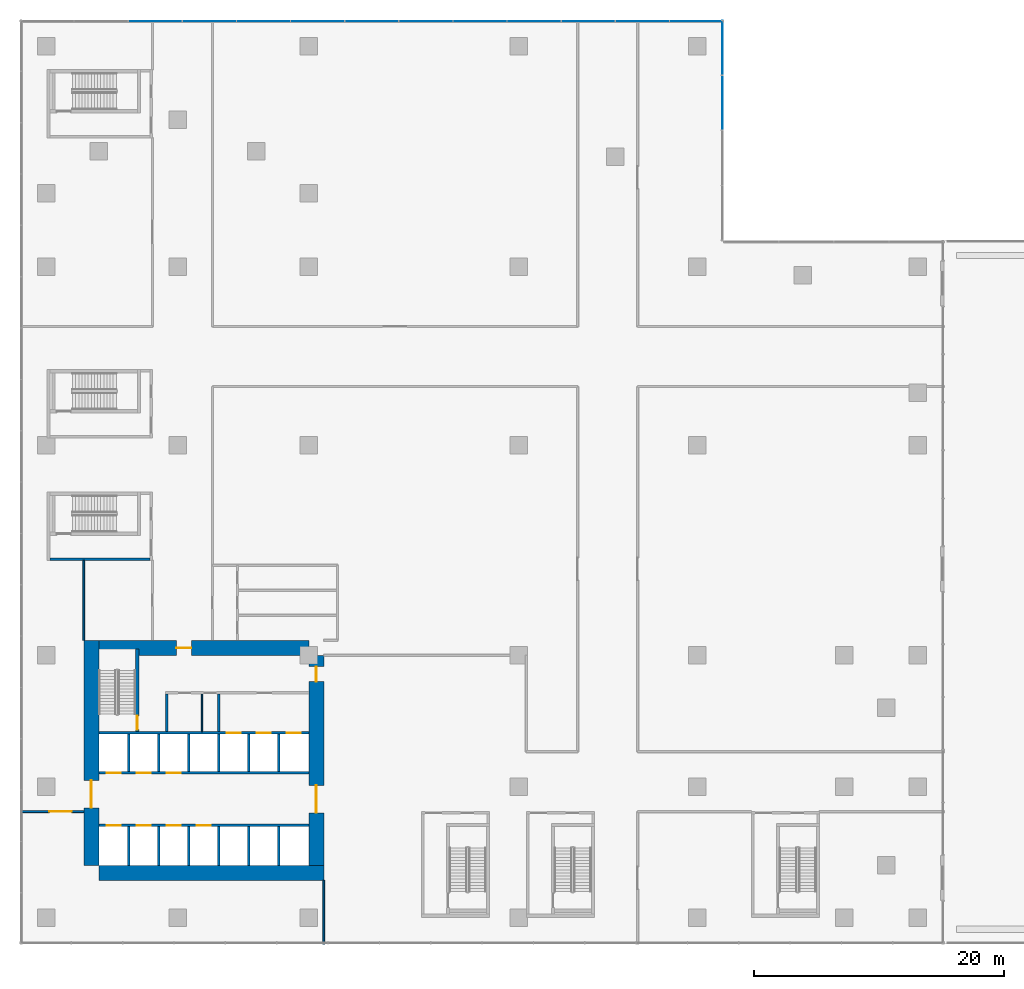
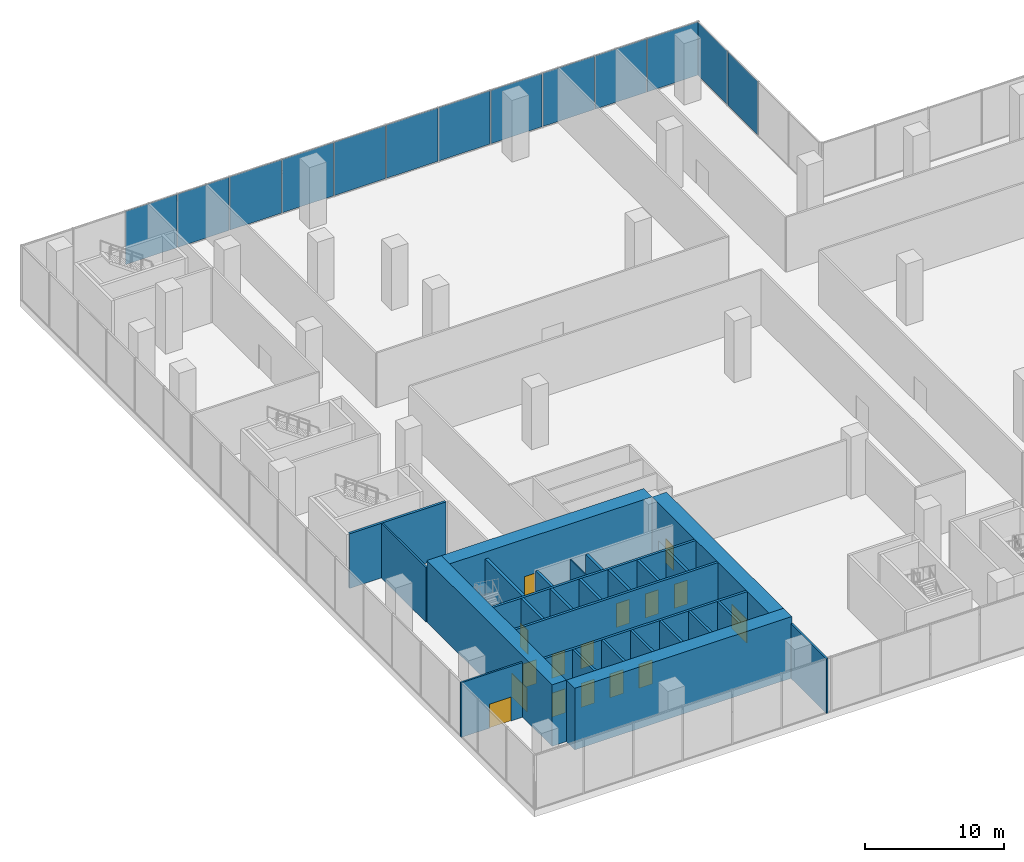
# One storey, part 13 of 23: 27 walls, 16 doors, 13 plates, 16 openings, 2 elements without a shape of their own.
"""IFC4 building model written with IfcOpenShell, lengths in metres."""

from ifc_helpers import new_model, si_unit, direction, frame, frame_2d, origin, origin_2d, place, context, subcontext, project, spatial, rectangle, extrude, source, transform, mapped, material, layer, layer_set, type_object, element, fill, aggregate, save


model = new_model("IFC4")

# Units and contexts
model_context = context("Model", 3, precision=1e-05, world=origin(), true_north=direction((0.0, 1.0)))
body_context = subcontext(model_context, "Body", "Model", "MODEL_VIEW")
ifc_project = project(units=[si_unit("LENGTHUNIT", "METRE"), si_unit("AREAUNIT", "SQUARE_METRE"), si_unit("VOLUMEUNIT", "CUBIC_METRE"), si_unit("PLANEANGLEUNIT", "RADIAN"), si_unit("MASSUNIT", "GRAM", prefix="KILO")], contexts=[model_context])

# Site, building, storey
site_placement = place(None, origin())
site = spatial("IfcSite", under=ifc_project, at=site_placement, CompositionType="ELEMENT")
building_placement = place(site_placement, origin())
building = spatial("IfcBuilding", under=site, at=building_placement, Name="Aurelian Terraces", CompositionType="ELEMENT")
storey_placement = place(building_placement, frame((0.0, 0.0, 18.3)))
storey = spatial("IfcBuildingStorey", under=building, at=storey_placement, Name="L03", CompositionType="ELEMENT", Elevation=18.3)

# Curtain wall, plates
ifc_material_1 = material(Name="Anodised aluminium and clear glazing", Category="aluminium")
ifc_layer_1 = layer(ifc_material_1, 0.2)
ifc_layer_set_1 = layer_set([ifc_layer_1], Name="Winter garden glazing curtain wall")
curtain_wall_type = type_object("IfcCurtainWallType", Name="Winter garden glazing curtain wall", PredefinedType="NOTDEFINED", material=ifc_layer_set_1)
curtain_wall_1_placement = place(storey_placement, origin())
curtain_wall_1 = element("IfcCurtainWall", 1, at=curtain_wall_1_placement, inside=storey, type_object=curtain_wall_type, Name="Winter garden glazing L03 F05.1", PredefinedType="NOTDEFINED")
ifc_material_2 = material(Name="Clear glazing", Category="glass")
ifc_layer_2 = layer(ifc_material_2, 0.028)
ifc_layer_set_2 = layer_set([ifc_layer_2], Name="Winter garden glazing glazing panel")
plate_type = type_object("IfcPlateType", Name="Winter garden glazing glazing panel", PredefinedType="CURTAIN_PANEL", material=ifc_layer_set_2)
shared_shape_1 = source(origin(), body_context, "Body", "SweptSolid", [
    extrude(rectangle(XDim=4.2692, YDim=0.028, at=origin_2d()), origin(), (0.0, 0.0, 1.0), 4.68),
])
plate_1_placement = place(storey_placement, frame((47.6862, 71.72, 0.06), z_axis=(0.0, 0.0, 1.0), x_axis=(-1.0, 0.0, 0.0)))
plate_1 = element("IfcPlate", 2, at=plate_1_placement, type_object=plate_type, Name="CW6 panel 2.1", PredefinedType="CURTAIN_PANEL", context=body_context, shape_type="MappedRepresentation", body=[
    mapped(shared_shape_1, transform((0.0, 0.0, 0.0), scale=1.0)),
])
plate_2_placement = place(storey_placement, frame((43.3569, 71.72, 0.06), z_axis=(0.0, 0.0, 1.0), x_axis=(-1.0, 0.0, 0.0)))
plate_2 = element("IfcPlate", 3, at=plate_2_placement, type_object=plate_type, Name="CW6 panel 3.1", PredefinedType="CURTAIN_PANEL", context=body_context, shape_type="MappedRepresentation", body=[
    mapped(shared_shape_1, transform((0.0, 0.0, 0.0), scale=1.0)),
])
plate_3_placement = place(storey_placement, frame((39.0277, 71.72, 0.06), z_axis=(0.0, 0.0, 1.0), x_axis=(-1.0, 0.0, 0.0)))
plate_3 = element("IfcPlate", 4, at=plate_3_placement, type_object=plate_type, Name="CW6 panel 4.1", PredefinedType="CURTAIN_PANEL", context=body_context, shape_type="MappedRepresentation", body=[
    mapped(shared_shape_1, transform((0.0, 0.0, 0.0), scale=1.0)),
])
plate_4_placement = place(storey_placement, frame((34.6985, 71.72, 0.06), z_axis=(0.0, 0.0, 1.0), x_axis=(-1.0, 0.0, 0.0)))
plate_4 = element("IfcPlate", 5, at=plate_4_placement, type_object=plate_type, Name="CW6 panel 5.1", PredefinedType="CURTAIN_PANEL", context=body_context, shape_type="MappedRepresentation", body=[
    mapped(shared_shape_1, transform((0.0, 0.0, 0.0), scale=1.0)),
])
plate_5_placement = place(storey_placement, frame((30.3692, 71.72, 0.06), z_axis=(0.0, 0.0, 1.0), x_axis=(-1.0, 0.0, 0.0)))
plate_5 = element("IfcPlate", 6, at=plate_5_placement, type_object=plate_type, Name="CW6 panel 6.1", PredefinedType="CURTAIN_PANEL", context=body_context, shape_type="MappedRepresentation", body=[
    mapped(shared_shape_1, transform((0.0, 0.0, 0.0), scale=1.0)),
])
plate_6_placement = place(storey_placement, frame((26.04, 71.72, 0.06), z_axis=(0.0, 0.0, 1.0), x_axis=(-1.0, 0.0, 0.0)))
plate_6 = element("IfcPlate", 7, at=plate_6_placement, type_object=plate_type, Name="CW6 panel 7.1", PredefinedType="CURTAIN_PANEL", context=body_context, shape_type="MappedRepresentation", body=[
    mapped(shared_shape_1, transform((0.0, 0.0, 0.0), scale=1.0)),
])
plate_7_placement = place(storey_placement, frame((21.7108, 71.72, 0.06), z_axis=(0.0, 0.0, 1.0), x_axis=(-1.0, 0.0, 0.0)))
plate_7 = element("IfcPlate", 8, at=plate_7_placement, type_object=plate_type, Name="CW6 panel 8.1", PredefinedType="CURTAIN_PANEL", context=body_context, shape_type="MappedRepresentation", body=[
    mapped(shared_shape_1, transform((0.0, 0.0, 0.0), scale=1.0)),
])
plate_8_placement = place(storey_placement, frame((17.3815, 71.72, 0.06), z_axis=(0.0, 0.0, 1.0), x_axis=(-1.0, 0.0, 0.0)))
plate_8 = element("IfcPlate", 9, at=plate_8_placement, type_object=plate_type, Name="CW6 panel 9.1", PredefinedType="CURTAIN_PANEL", context=body_context, shape_type="MappedRepresentation", body=[
    mapped(shared_shape_1, transform((0.0, 0.0, 0.0), scale=1.0)),
])
plate_9_placement = place(storey_placement, frame((13.0523, 71.72, 0.06), z_axis=(0.0, 0.0, 1.0), x_axis=(-1.0, 0.0, 0.0)))
plate_9 = element("IfcPlate", 10, at=plate_9_placement, type_object=plate_type, Name="CW6 panel 10.1", PredefinedType="CURTAIN_PANEL", context=body_context, shape_type="MappedRepresentation", body=[
    mapped(shared_shape_1, transform((0.0, 0.0, 0.0), scale=1.0)),
])
plate_10_placement = place(storey_placement, frame((8.7231, 71.72, 0.06), z_axis=(0.0, 0.0, 1.0), x_axis=(-1.0, 0.0, 0.0)))
plate_10 = element("IfcPlate", 11, at=plate_10_placement, type_object=plate_type, Name="CW6 panel 11.1", PredefinedType="CURTAIN_PANEL", context=body_context, shape_type="MappedRepresentation", body=[
    mapped(shared_shape_1, transform((0.0, 0.0, 0.0), scale=1.0)),
])
shared_shape_2 = source(origin(), body_context, "Body", "SweptSolid", [
    extrude(rectangle(XDim=4.2392, YDim=0.028, at=origin_2d()), origin(), (0.0, 0.0, 1.0), 4.68),
])
plate_11_placement = place(storey_placement, frame((52.0004, 71.72, 0.06), z_axis=(0.0, 0.0, 1.0), x_axis=(-1.0, 0.0, 0.0)))
plate_11 = element("IfcPlate", 12, at=plate_11_placement, type_object=plate_type, Name="CW6 panel 1.1", PredefinedType="CURTAIN_PANEL", context=body_context, shape_type="MappedRepresentation", body=[
    mapped(shared_shape_2, transform((0.0, 0.0, 0.0), scale=1.0)),
])
aggregate(curtain_wall_1, [plate_11, plate_1, plate_2, plate_3, plate_4, plate_5, plate_6, plate_7, plate_8, plate_9, plate_10])

curtain_wall_2_placement = place(storey_placement, origin())
curtain_wall_2 = element("IfcCurtainWall", 13, at=curtain_wall_2_placement, inside=storey, type_object=curtain_wall_type, Name="Winter garden glazing L03 F04.1", PredefinedType="NOTDEFINED")
shared_shape_3 = source(origin(), body_context, "Body", "SweptSolid", [
    extrude(rectangle(XDim=4.35, YDim=0.028, at=origin_2d()), origin(), (0.0, 0.0, 1.0), 4.68),
])
plate_12_placement = place(storey_placement, frame((54.08, 65.205, 0.06), z_axis=(0.0, 0.0, 1.0), x_axis=(0.0, 1.0, 0.0)))
plate_12 = element("IfcPlate", 14, at=plate_12_placement, type_object=plate_type, Name="CW6 panel 3.1", PredefinedType="CURTAIN_PANEL", context=body_context, shape_type="MappedRepresentation", body=[
    mapped(shared_shape_3, transform((0.0, 0.0, 0.0), scale=1.0)),
])
shared_shape_4 = source(origin(), body_context, "Body", "SweptSolid", [
    extrude(rectangle(XDim=4.32, YDim=0.028, at=origin_2d()), origin(), (0.0, 0.0, 1.0), 4.68),
])
plate_13_placement = place(storey_placement, frame((54.08, 69.6, 0.06), z_axis=(0.0, 0.0, 1.0), x_axis=(0.0, 1.0, 0.0)))
plate_13 = element("IfcPlate", 15, at=plate_13_placement, type_object=plate_type, Name="CW6 panel 4.1", PredefinedType="CURTAIN_PANEL", context=body_context, shape_type="MappedRepresentation", body=[
    mapped(shared_shape_4, transform((0.0, 0.0, 0.0), scale=1.0)),
])
aggregate(curtain_wall_2, [plate_12, plate_13])

# Wall, opening, door
ifc_material_3 = material(Name="Concrete fc' 83 MPa", Category="concrete")
ifc_layer_3 = layer(ifc_material_3, 1.2)
ifc_layer_set_3 = layer_set([ifc_layer_3], Name="CORE WALL 1200 FC83")
wall_type_1 = type_object("IfcWallType", Name="CORE WALL 1200 FC83", PredefinedType="SHEAR", material=ifc_layer_set_3)
shared_shape_5 = source(origin(), body_context, "Body", "SweptSolid", [
    extrude(rectangle(XDim=18.0, YDim=1.2, at=frame_2d((9.0, 0.0))), origin(), (0.0, 0.0, 1.0), 5.4),
])
wall_1_placement = place(storey_placement, frame((3.6, 4.2, 0.0), z_axis=(0.0, 0.0, 1.0), x_axis=(0.0, 1.0, 0.0)))
wall_1 = element("IfcWall", 16, at=wall_1_placement, inside=storey, type_object=wall_type_1, Name="Core wall W L03", PredefinedType="SHEAR", context=body_context, shape_type="MappedRepresentation", body=[
    mapped(shared_shape_5, transform((0.0, 0.0, 0.0), scale=1.0)),
])
shared_shape_6 = source(origin(), body_context, "Body", "SweptSolid", [
    extrude(rectangle(XDim=2.2, YDim=2.1, at=frame_2d((1.1, 1.05))), frame((0.0, 0.61, 0.0), z_axis=(0.0, -1.0, 0.0), x_axis=(1.0, 0.0, 0.0)), (0.0, 0.0, 1.0), 1.22),
])
opening_1_placement = place(wall_1_placement, frame((4.6, 0.0, 0.0)))
opening_1 = element("IfcOpeningElement", 17, at=opening_1_placement, cuts=wall_1, Name="Opening 60633", PredefinedType="OPENING", context=body_context, shape_type="MappedRepresentation", body=[
    mapped(shared_shape_6, transform((0.0, 0.0, 0.0), scale=1.0)),
])
ifc_material_4 = material(Name="Steel door leaf", Category="steel")
door_type_1 = type_object("IfcDoorType", Name="Core double door 2200x2100", OperationType="DOUBLE_DOOR_SINGLE_SWING", PredefinedType="DOOR", material=ifc_material_4)
shared_shape_7 = source(origin(), body_context, "Body", "SweptSolid", [
    extrude(rectangle(XDim=2.2, YDim=2.1, at=frame_2d((1.1, 1.05))), frame((0.0, 0.025, 0.0), z_axis=(0.0, -1.0, 0.0), x_axis=(1.0, 0.0, 0.0)), (0.0, 0.0, 1.0), 0.05),
])
door_1_placement = place(opening_1_placement, origin())
door_1 = element("IfcDoor", 18, at=door_1_placement, inside=storey, type_object=door_type_1, Name="Core door 60633", OperationType="DOUBLE_DOOR_SINGLE_SWING", OverallHeight=2.1, OverallWidth=2.2, PredefinedType="DOOR", context=body_context, shape_type="MappedRepresentation", body=[
    mapped(shared_shape_7, transform((0.0, 0.0, 0.0), scale=1.0)),
])
fill(opening_1, door_1)

# Wall
wall_2_placement = place(storey_placement, frame((4.2, 3.6, 0.0), z_axis=(0.0, 0.0, 1.0), x_axis=(1.0, 0.0, 0.0)))
element("IfcWall", 19, at=wall_2_placement, inside=storey, type_object=wall_type_1, Name="Core wall S L03", PredefinedType="SHEAR", context=body_context, shape_type="MappedRepresentation", body=[
    mapped(shared_shape_5, transform((0.0, 0.0, 0.0), scale=1.0)),
])

# Wall, openings, doors
shared_shape_8 = source(origin(), body_context, "Body", "SweptSolid", [
    extrude(rectangle(XDim=16.8, YDim=1.2, at=frame_2d((8.4, 0.0))), origin(), (0.0, 0.0, 1.0), 5.4),
])
wall_3_placement = place(storey_placement, frame((21.6, 4.2, 0.0), z_axis=(0.0, 0.0, 1.0), x_axis=(0.0, 1.0, 0.0)))
wall_3 = element("IfcWall", 20, at=wall_3_placement, inside=storey, type_object=wall_type_1, Name="Core wall E L03", PredefinedType="SHEAR", context=body_context, shape_type="MappedRepresentation", body=[
    mapped(shared_shape_8, transform((0.0, 0.0, 0.0), scale=1.0)),
])
opening_2_placement = place(wall_3_placement, frame((4.2, 0.0, 0.0)))
opening_2 = element("IfcOpeningElement", 21, at=opening_2_placement, cuts=wall_3, Name="Opening 60632", PredefinedType="OPENING", context=body_context, shape_type="MappedRepresentation", body=[
    mapped(shared_shape_6, transform((0.0, 0.0, 0.0), scale=1.0)),
])
shared_shape_9 = source(origin(), body_context, "Body", "SweptSolid", [
    extrude(rectangle(XDim=1.2, YDim=2.1, at=frame_2d((0.6, 1.05))), frame((0.0, 0.61, 0.0), z_axis=(0.0, -1.0, 0.0), x_axis=(1.0, 0.0, 0.0)), (0.0, 0.0, 1.0), 1.22),
])
opening_3_placement = place(wall_3_placement, frame((14.7, 0.0, 0.0)))
opening_3 = element("IfcOpeningElement", 22, at=opening_3_placement, cuts=wall_3, Name="Opening 60635", PredefinedType="OPENING", context=body_context, shape_type="MappedRepresentation", body=[
    mapped(shared_shape_9, transform((0.0, 0.0, 0.0), scale=1.0)),
])
door_type_2 = type_object("IfcDoorType", Name="Core fire door 1200x2100 right", OperationType="SINGLE_SWING_RIGHT", PredefinedType="DOOR", material=ifc_material_4)
shared_shape_10 = source(origin(), body_context, "Body", "SweptSolid", [
    extrude(rectangle(XDim=1.2, YDim=2.1, at=frame_2d((0.6, 1.05))), frame((0.0, 0.025, 0.0), z_axis=(0.0, -1.0, 0.0), x_axis=(1.0, 0.0, 0.0)), (0.0, 0.0, 1.0), 0.05),
])
door_2_placement = place(opening_3_placement, origin())
door_2 = element("IfcDoor", 23, at=door_2_placement, inside=storey, type_object=door_type_2, Name="Core door 60635", OperationType="SINGLE_SWING_RIGHT", OverallHeight=2.1, OverallWidth=1.2, PredefinedType="DOOR", context=body_context, shape_type="MappedRepresentation", body=[
    mapped(shared_shape_10, transform((0.0, 0.0, 0.0), scale=1.0)),
])
fill(opening_3, door_2)
door_3_placement = place(opening_2_placement, origin())
door_3 = element("IfcDoor", 24, at=door_3_placement, inside=storey, type_object=door_type_1, Name="Core door 60632", OperationType="DOUBLE_DOOR_SINGLE_SWING", OverallHeight=2.1, OverallWidth=2.2, PredefinedType="DOOR", context=body_context, shape_type="MappedRepresentation", body=[
    mapped(shared_shape_7, transform((0.0, 0.0, 0.0), scale=1.0)),
])
fill(opening_2, door_3)

# Wall, opening, door
wall_4_placement = place(storey_placement, frame((4.2, 21.6, 0.0), z_axis=(0.0, 0.0, 1.0), x_axis=(1.0, 0.0, 0.0)))
wall_4 = element("IfcWall", 25, at=wall_4_placement, inside=storey, type_object=wall_type_1, Name="Core wall N L03", PredefinedType="SHEAR", context=body_context, shape_type="MappedRepresentation", body=[
    mapped(shared_shape_8, transform((0.0, 0.0, 0.0), scale=1.0)),
])
opening_4_placement = place(wall_4_placement, frame((6.2, 0.0, 0.0)))
opening_4 = element("IfcOpeningElement", 26, at=opening_4_placement, cuts=wall_4, Name="Opening 60634", PredefinedType="OPENING", context=body_context, shape_type="MappedRepresentation", body=[
    mapped(shared_shape_9, transform((0.0, 0.0, 0.0), scale=1.0)),
])
door_type_3 = type_object("IfcDoorType", Name="Core fire door 1200x2100", OperationType="SINGLE_SWING_LEFT", PredefinedType="DOOR", material=ifc_material_4)
door_4_placement = place(opening_4_placement, origin())
door_4 = element("IfcDoor", 27, at=door_4_placement, inside=storey, type_object=door_type_3, Name="Core door 60634", OperationType="SINGLE_SWING_LEFT", OverallHeight=2.1, OverallWidth=1.2, PredefinedType="DOOR", context=body_context, shape_type="MappedRepresentation", body=[
    mapped(shared_shape_10, transform((0.0, 0.0, 0.0), scale=1.0)),
])
fill(opening_4, door_4)

# Walls
ifc_material_5 = material(Name="Concrete fc' 40 MPa", Category="concrete")
ifc_layer_4 = layer(ifc_material_5, 0.2)
ifc_layer_set_4 = layer_set([ifc_layer_4], Name="Lift shaft wall 200")
wall_type_2 = type_object("IfcWallType", Name="Lift shaft wall 200", PredefinedType="SOLIDWALL", material=ifc_layer_set_4)
shared_shape_11 = source(origin(), body_context, "Body", "SweptSolid", [
    extrude(rectangle(XDim=3.1, YDim=0.2, at=frame_2d((1.55, 0.0))), origin(), (0.0, 0.0, 1.0), 5.4),
])
for number, where, z_axis, x_axis, name in (
    (28, (6.6, 4.2, 0.0), (0.0, 0.0, 1.0), (0.0, 1.0, 0.0), "L03 core wall CD-A1"),
    (29, (9.0, 4.2, 0.0), (0.0, 0.0, 1.0), (0.0, 1.0, 0.0), "L03 core wall CD-A2"),
    (30, (11.4, 4.2, 0.0), (0.0, 0.0, 1.0), (0.0, 1.0, 0.0), "L03 core wall CD-A3"),
    (31, (13.8, 4.2, 0.0), (0.0, 0.0, 1.0), (0.0, 1.0, 0.0), "L03 core wall CD-A4"),
    (32, (16.2, 4.2, 0.0), (0.0, 0.0, 1.0), (0.0, 1.0, 0.0), "L03 core wall CD-A5"),
    (33, (18.6, 4.2, 0.0), (0.0, 0.0, 1.0), (0.0, 1.0, 0.0), "L03 core wall CD-A6"),
):
    element("IfcWall", number, at=place(storey_placement, frame(where, z_axis=z_axis, x_axis=x_axis)), inside=storey, type_object=wall_type_2, Name=name, PredefinedType="SOLIDWALL", context=body_context, shape_type="MappedRepresentation", body=[
        mapped(shared_shape_11, transform((0.0, 0.0, 0.0), scale=1.0)),
    ])
shared_shape_12 = source(origin(), body_context, "Body", "SweptSolid", [
    extrude(rectangle(XDim=3.0, YDim=0.2, at=frame_2d((1.5, 0.0))), origin(), (0.0, 0.0, 1.0), 5.4),
])
for number, where, z_axis, x_axis, name in (
    (34, (6.6, 11.7, 0.0), (0.0, 0.0, 1.0), (0.0, 1.0, 0.0), "L03 core wall CD-B1"),
    (35, (9.0, 11.7, 0.0), (0.0, 0.0, 1.0), (0.0, 1.0, 0.0), "L03 core wall CD-B2"),
    (36, (11.4, 11.7, 0.0), (0.0, 0.0, 1.0), (0.0, 1.0, 0.0), "L03 core wall CD-B3"),
    (37, (13.8, 11.7, 0.0), (0.0, 0.0, 1.0), (0.0, 1.0, 0.0), "L03 core wall CD-B4"),
    (38, (16.2, 11.7, 0.0), (0.0, 0.0, 1.0), (0.0, 1.0, 0.0), "L03 core wall CD-B5"),
    (39, (18.6, 11.7, 0.0), (0.0, 0.0, 1.0), (0.0, 1.0, 0.0), "L03 core wall CD-B6"),
):
    element("IfcWall", number, at=place(storey_placement, frame(where, z_axis=z_axis, x_axis=x_axis)), inside=storey, type_object=wall_type_2, Name=name, PredefinedType="SOLIDWALL", context=body_context, shape_type="MappedRepresentation", body=[
        mapped(shared_shape_12, transform((0.0, 0.0, 0.0), scale=1.0)),
    ])

# Wall, openings, doors
shared_shape_13 = source(origin(), body_context, "Body", "SweptSolid", [
    extrude(rectangle(XDim=16.8, YDim=0.2, at=frame_2d((8.4, 0.0))), origin(), (0.0, 0.0, 1.0), 5.4),
])
wall_5_placement = place(storey_placement, frame((4.2, 7.4, 0.0), z_axis=(0.0, 0.0, 1.0), x_axis=(1.0, 0.0, 0.0)))
wall_5 = element("IfcWall", 40, at=wall_5_placement, inside=storey, type_object=wall_type_2, Name="L03 core wall CF-AF1", PredefinedType="SOLIDWALL", context=body_context, shape_type="MappedRepresentation", body=[
    mapped(shared_shape_13, transform((0.0, 0.0, 0.0), scale=1.0)),
])
shared_shape_14 = source(origin(), body_context, "Body", "SweptSolid", [
    extrude(rectangle(XDim=1.1, YDim=2.1, at=frame_2d((0.55, 1.05))), frame((0.0, 0.11, 0.0), z_axis=(0.0, -1.0, 0.0), x_axis=(1.0, 0.0, 0.0)), (0.0, 0.0, 1.0), 0.22),
])
opening_5_placement = place(wall_5_placement, frame((0.65, 0.0, 0.0)))
opening_5 = element("IfcOpeningElement", 41, at=opening_5_placement, cuts=wall_5, Name="Opening 60600", PredefinedType="OPENING", context=body_context, shape_type="MappedRepresentation", body=[
    mapped(shared_shape_14, transform((0.0, 0.0, 0.0), scale=1.0)),
])
opening_6_placement = place(wall_5_placement, frame((3.05, 0.0, 0.0)))
opening_6 = element("IfcOpeningElement", 42, at=opening_6_placement, cuts=wall_5, Name="Opening 60601", PredefinedType="OPENING", context=body_context, shape_type="MappedRepresentation", body=[
    mapped(shared_shape_14, transform((0.0, 0.0, 0.0), scale=1.0)),
])
opening_7_placement = place(wall_5_placement, frame((5.45, 0.0, 0.0)))
opening_7 = element("IfcOpeningElement", 43, at=opening_7_placement, cuts=wall_5, Name="Opening 60602", PredefinedType="OPENING", context=body_context, shape_type="MappedRepresentation", body=[
    mapped(shared_shape_14, transform((0.0, 0.0, 0.0), scale=1.0)),
])
opening_8_placement = place(wall_5_placement, frame((7.85, 0.0, 0.0)))
opening_8 = element("IfcOpeningElement", 44, at=opening_8_placement, cuts=wall_5, Name="Opening 60603", PredefinedType="OPENING", context=body_context, shape_type="MappedRepresentation", body=[
    mapped(shared_shape_14, transform((0.0, 0.0, 0.0), scale=1.0)),
])
ifc_material_6 = material(Name="Stainless steel", Category="steel")
door_type_4 = type_object("IfcDoorType", Name="Lift landing door 1100x2100", OperationType="SLIDING_TO_LEFT", PredefinedType="DOOR", material=ifc_material_6)
shared_shape_15 = source(origin(), body_context, "Body", "SweptSolid", [
    extrude(rectangle(XDim=1.1, YDim=2.1, at=frame_2d((0.55, 1.05))), frame((0.0, 0.025, 0.0), z_axis=(0.0, -1.0, 0.0), x_axis=(1.0, 0.0, 0.0)), (0.0, 0.0, 1.0), 0.05),
])
door_5_placement = place(opening_5_placement, origin())
door_5 = element("IfcDoor", 45, at=door_5_placement, inside=storey, type_object=door_type_4, Name="Lift landing door LL1 L03", OperationType="SLIDING_TO_LEFT", OverallHeight=2.1, OverallWidth=1.1, PredefinedType="DOOR", context=body_context, shape_type="MappedRepresentation", body=[
    mapped(shared_shape_15, transform((0.0, 0.0, 0.0), scale=1.0)),
])
fill(opening_5, door_5)
door_6_placement = place(opening_6_placement, origin())
door_6 = element("IfcDoor", 46, at=door_6_placement, inside=storey, type_object=door_type_4, Name="Lift landing door LL2 L03", OperationType="SLIDING_TO_LEFT", OverallHeight=2.1, OverallWidth=1.1, PredefinedType="DOOR", context=body_context, shape_type="MappedRepresentation", body=[
    mapped(shared_shape_15, transform((0.0, 0.0, 0.0), scale=1.0)),
])
fill(opening_6, door_6)
door_7_placement = place(opening_7_placement, origin())
door_7 = element("IfcDoor", 47, at=door_7_placement, inside=storey, type_object=door_type_4, Name="Lift landing door LL3 L03", OperationType="SLIDING_TO_LEFT", OverallHeight=2.1, OverallWidth=1.1, PredefinedType="DOOR", context=body_context, shape_type="MappedRepresentation", body=[
    mapped(shared_shape_15, transform((0.0, 0.0, 0.0), scale=1.0)),
])
fill(opening_7, door_7)
door_8_placement = place(opening_8_placement, origin())
door_8 = element("IfcDoor", 48, at=door_8_placement, inside=storey, type_object=door_type_4, Name="Lift landing door LL4 L03", OperationType="SLIDING_TO_LEFT", OverallHeight=2.1, OverallWidth=1.1, PredefinedType="DOOR", context=body_context, shape_type="MappedRepresentation", body=[
    mapped(shared_shape_15, transform((0.0, 0.0, 0.0), scale=1.0)),
])
fill(opening_8, door_8)

wall_6_placement = place(storey_placement, frame((4.2, 11.6, 0.0), z_axis=(0.0, 0.0, 1.0), x_axis=(1.0, 0.0, 0.0)))
wall_6 = element("IfcWall", 49, at=wall_6_placement, inside=storey, type_object=wall_type_2, Name="L03 core wall CF-BF1", PredefinedType="SOLIDWALL", context=body_context, shape_type="MappedRepresentation", body=[
    mapped(shared_shape_13, transform((0.0, 0.0, 0.0), scale=1.0)),
])
opening_9_placement = place(wall_6_placement, frame((0.65, 0.0, 0.0)))
opening_9 = element("IfcOpeningElement", 50, at=opening_9_placement, cuts=wall_6, Name="Opening 60604", PredefinedType="OPENING", context=body_context, shape_type="MappedRepresentation", body=[
    mapped(shared_shape_14, transform((0.0, 0.0, 0.0), scale=1.0)),
])
opening_10_placement = place(wall_6_placement, frame((3.05, 0.0, 0.0)))
opening_10 = element("IfcOpeningElement", 51, at=opening_10_placement, cuts=wall_6, Name="Opening 60605", PredefinedType="OPENING", context=body_context, shape_type="MappedRepresentation", body=[
    mapped(shared_shape_14, transform((0.0, 0.0, 0.0), scale=1.0)),
])
opening_11_placement = place(wall_6_placement, frame((5.45, 0.0, 0.0)))
opening_11 = element("IfcOpeningElement", 52, at=opening_11_placement, cuts=wall_6, Name="Opening 60606", PredefinedType="OPENING", context=body_context, shape_type="MappedRepresentation", body=[
    mapped(shared_shape_14, transform((0.0, 0.0, 0.0), scale=1.0)),
])
door_9_placement = place(opening_9_placement, origin())
door_9 = element("IfcDoor", 53, at=door_9_placement, inside=storey, type_object=door_type_4, Name="Lift landing door LL5 L03", OperationType="SLIDING_TO_LEFT", OverallHeight=2.1, OverallWidth=1.1, PredefinedType="DOOR", context=body_context, shape_type="MappedRepresentation", body=[
    mapped(shared_shape_15, transform((0.0, 0.0, 0.0), scale=1.0)),
])
fill(opening_9, door_9)
door_10_placement = place(opening_10_placement, origin())
door_10 = element("IfcDoor", 54, at=door_10_placement, inside=storey, type_object=door_type_4, Name="Lift landing door LL6 L03", OperationType="SLIDING_TO_LEFT", OverallHeight=2.1, OverallWidth=1.1, PredefinedType="DOOR", context=body_context, shape_type="MappedRepresentation", body=[
    mapped(shared_shape_15, transform((0.0, 0.0, 0.0), scale=1.0)),
])
fill(opening_10, door_10)
door_11_placement = place(opening_11_placement, origin())
door_11 = element("IfcDoor", 55, at=door_11_placement, inside=storey, type_object=door_type_4, Name="Lift landing door LL7 L03", OperationType="SLIDING_TO_LEFT", OverallHeight=2.1, OverallWidth=1.1, PredefinedType="DOOR", context=body_context, shape_type="MappedRepresentation", body=[
    mapped(shared_shape_15, transform((0.0, 0.0, 0.0), scale=1.0)),
])
fill(opening_11, door_11)

wall_7_placement = place(storey_placement, frame((4.2, 14.8, 0.0), z_axis=(0.0, 0.0, 1.0), x_axis=(1.0, 0.0, 0.0)))
wall_7 = element("IfcWall", 56, at=wall_7_placement, inside=storey, type_object=wall_type_2, Name="L03 core wall CF-BB1", PredefinedType="SOLIDWALL", context=body_context, shape_type="MappedRepresentation", body=[
    mapped(shared_shape_13, transform((0.0, 0.0, 0.0), scale=1.0)),
])
opening_12_placement = place(wall_7_placement, frame((10.25, 0.0, 0.0)))
opening_12 = element("IfcOpeningElement", 57, at=opening_12_placement, cuts=wall_7, Name="Opening 60607", PredefinedType="OPENING", context=body_context, shape_type="MappedRepresentation", body=[
    mapped(shared_shape_14, transform((0.0, 0.0, 0.0), scale=1.0)),
])
opening_13_placement = place(wall_7_placement, frame((12.65, 0.0, 0.0)))
opening_13 = element("IfcOpeningElement", 58, at=opening_13_placement, cuts=wall_7, Name="Opening 60608", PredefinedType="OPENING", context=body_context, shape_type="MappedRepresentation", body=[
    mapped(shared_shape_14, transform((0.0, 0.0, 0.0), scale=1.0)),
])
opening_14_placement = place(wall_7_placement, frame((15.05, 0.0, 0.0)))
opening_14 = element("IfcOpeningElement", 59, at=opening_14_placement, cuts=wall_7, Name="Opening 60609", PredefinedType="OPENING", context=body_context, shape_type="MappedRepresentation", body=[
    mapped(shared_shape_14, transform((0.0, 0.0, 0.0), scale=1.0)),
])
door_12_placement = place(opening_12_placement, origin())
door_12 = element("IfcDoor", 60, at=door_12_placement, inside=storey, type_object=door_type_4, Name="Lift landing door F1 L03", OperationType="SLIDING_TO_LEFT", OverallHeight=2.1, OverallWidth=1.1, PredefinedType="DOOR", context=body_context, shape_type="MappedRepresentation", body=[
    mapped(shared_shape_15, transform((0.0, 0.0, 0.0), scale=1.0)),
])
fill(opening_12, door_12)
door_13_placement = place(opening_13_placement, origin())
door_13 = element("IfcDoor", 61, at=door_13_placement, inside=storey, type_object=door_type_4, Name="Lift landing door F2 L03", OperationType="SLIDING_TO_LEFT", OverallHeight=2.1, OverallWidth=1.1, PredefinedType="DOOR", context=body_context, shape_type="MappedRepresentation", body=[
    mapped(shared_shape_15, transform((0.0, 0.0, 0.0), scale=1.0)),
])
fill(opening_13, door_13)
door_14_placement = place(opening_14_placement, origin())
door_14 = element("IfcDoor", 62, at=door_14_placement, inside=storey, type_object=door_type_4, Name="Lift landing door F3 L03", OperationType="SLIDING_TO_LEFT", OverallHeight=2.1, OverallWidth=1.1, PredefinedType="DOOR", context=body_context, shape_type="MappedRepresentation", body=[
    mapped(shared_shape_15, transform((0.0, 0.0, 0.0), scale=1.0)),
])
fill(opening_14, door_14)

# Walls
ifc_material_7 = material(Name="Gypsum board on steel studs", Category="steel")
ifc_layer_5 = layer(ifc_material_7, 0.2)
ifc_layer_set_5 = layer_set([ifc_layer_5], Name="Core partition 200")
wall_type_3 = type_object("IfcWallType", Name="Core partition 200", PredefinedType="PARTITIONING", material=ifc_layer_set_5)
shared_shape_16 = source(origin(), body_context, "Body", "SweptSolid", [
    extrude(rectangle(XDim=3.0, YDim=0.2, at=frame_2d((1.5, 0.0))), origin(), (0.0, 0.0, 1.0), 4.8),
])
for number, where, z_axis, x_axis, name in (
    (63, (9.65, 14.9, 0.0), (0.0, 0.0, 1.0), (0.0, 1.0, 0.0), "L03 core wall CP-VEST"),
    (64, (13.8, 14.9, 0.0), (0.0, 0.0, 1.0), (0.0, 1.0, 0.0), "L03 core wall CP-FFL"),
):
    element("IfcWall", number, at=place(storey_placement, frame(where, z_axis=z_axis, x_axis=x_axis)), inside=storey, type_object=wall_type_3, Name=name, PredefinedType="PARTITIONING", context=body_context, shape_type="MappedRepresentation", body=[
        mapped(shared_shape_16, transform((0.0, 0.0, 0.0), scale=1.0)),
    ])
ifc_layer_6 = layer(ifc_material_7, 0.1)
ifc_layer_set_6 = layer_set([ifc_layer_6], Name="Core partition 100")
wall_type_4 = type_object("IfcWallType", Name="Core partition 100", PredefinedType="PARTITIONING", material=ifc_layer_set_6)
shared_shape_17 = source(origin(), body_context, "Body", "SweptSolid", [
    extrude(rectangle(XDim=3.0, YDim=0.1, at=frame_2d((1.5, 0.0))), origin(), (0.0, 0.0, 1.0), 4.8),
])
wall_8_placement = place(storey_placement, frame((12.45, 14.9, 0.0), z_axis=(0.0, 0.0, 1.0), x_axis=(0.0, 1.0, 0.0)))
element("IfcWall", 65, at=wall_8_placement, inside=storey, type_object=wall_type_4, Name="L03 core wall CP-SV1", PredefinedType="PARTITIONING", context=body_context, shape_type="MappedRepresentation", body=[
    mapped(shared_shape_17, transform((0.0, 0.0, 0.0), scale=1.0)),
])
shared_shape_18 = source(origin(), body_context, "Body", "SweptSolid", [
    extrude(rectangle(XDim=8.0, YDim=0.2, at=frame_2d((4.0, 0.0))), origin(), (0.0, 0.0, 1.0), 4.8),
])
wall_9_placement = place(storey_placement, frame((0.3, 28.7, 0.0), z_axis=(0.0, 0.0, 1.0), x_axis=(1.0, 0.0, 0.0)))
element("IfcWall", 66, at=wall_9_placement, inside=storey, type_object=wall_type_3, Name="L03 core wall ST-S4-VW", PredefinedType="PARTITIONING", context=body_context, shape_type="MappedRepresentation", body=[
    mapped(shared_shape_18, transform((0.0, 0.0, 0.0), scale=1.0)),
])

# Wall, opening, door
ifc_layer_7 = layer(ifc_material_5, 0.25)
ifc_layer_set_7 = layer_set([ifc_layer_7], Name="Stair enclosure wall 250")
wall_type_5 = type_object("IfcWallType", Name="Stair enclosure wall 250", PredefinedType="SOLIDWALL", material=ifc_layer_set_7)
shared_shape_19 = source(origin(), body_context, "Body", "SweptSolid", [
    extrude(rectangle(XDim=6.6, YDim=0.25, at=frame_2d((3.3, 0.0))), origin(), (0.0, 0.0, 1.0), 4.8),
])
wall_10_placement = place(storey_placement, frame((7.275, 14.9, 0.0), z_axis=(0.0, 0.0, 1.0), x_axis=(0.0, 1.0, 0.0)))
wall_10 = element("IfcWall", 67, at=wall_10_placement, inside=storey, type_object=wall_type_5, Name="L03 core wall ST-S1-E", PredefinedType="SOLIDWALL", context=body_context, shape_type="MappedRepresentation", body=[
    mapped(shared_shape_19, transform((0.0, 0.0, 0.0), scale=1.0)),
])
shared_shape_20 = source(origin(), body_context, "Body", "SweptSolid", [
    extrude(rectangle(XDim=1.1, YDim=2.1, at=frame_2d((0.55, 1.05))), frame((0.0, 0.135, 0.0), z_axis=(0.0, -1.0, 0.0), x_axis=(1.0, 0.0, 0.0)), (0.0, 0.0, 1.0), 0.27),
])
opening_15_placement = place(wall_10_placement, frame((0.15, 0.0, 0.0)))
opening_15 = element("IfcOpeningElement", 68, at=opening_15_placement, cuts=wall_10, Name="Opening 60610", PredefinedType="OPENING", context=body_context, shape_type="MappedRepresentation", body=[
    mapped(shared_shape_20, transform((0.0, 0.0, 0.0), scale=1.0)),
])
door_type_5 = type_object("IfcDoorType", Name="Core fire door 1100x2100", OperationType="SINGLE_SWING_LEFT", PredefinedType="DOOR", material=ifc_material_4)
door_15_placement = place(opening_15_placement, origin())
door_15 = element("IfcDoor", 69, at=door_15_placement, inside=storey, type_object=door_type_5, Name="Stair door 60610", OperationType="SINGLE_SWING_LEFT", OverallHeight=2.1, OverallWidth=1.1, PredefinedType="DOOR", context=body_context, shape_type="MappedRepresentation", body=[
    mapped(shared_shape_15, transform((0.0, 0.0, 0.0), scale=1.0)),
])
fill(opening_15, door_15)

# Wall
ifc_layer_8 = layer(ifc_material_7, 0.15)
ifc_layer_set_8 = layer_set([ifc_layer_8], Name="Special partition 150")
wall_type_6 = type_object("IfcWallType", Name="Special partition 150", PredefinedType="PARTITIONING", material=ifc_layer_set_8)
shared_shape_21 = source(origin(), body_context, "Body", "SweptSolid", [
    extrude(rectangle(XDim=6.4, YDim=0.15, at=frame_2d((3.2, 0.0))), origin(), (0.0, 0.0, 1.0), 4.8),
])
wall_11_placement = place(storey_placement, frame((3.0, 22.2, 0.0), z_axis=(0.0, 0.0, 1.0), x_axis=(0.0, 1.0, 0.0)))
element("IfcWall", 70, at=wall_11_placement, inside=storey, type_object=wall_type_6, Name="L03 partition W16", PredefinedType="PARTITIONING", context=body_context, shape_type="MappedRepresentation", body=[
    mapped(shared_shape_21, transform((0.0, 0.0, 0.0), scale=1.0)),
])

# Wall, opening, door
shared_shape_22 = source(origin(), body_context, "Body", "SweptSolid", [
    extrude(rectangle(XDim=5.1, YDim=0.15, at=frame_2d((2.55, 0.0))), origin(), (0.0, 0.0, 1.0), 4.8),
])
wall_12_placement = place(storey_placement, frame((-2.1, 8.5, 0.0), z_axis=(0.0, 0.0, 1.0), x_axis=(1.0, 0.0, 0.0)))
wall_12 = element("IfcWall", 71, at=wall_12_placement, inside=storey, type_object=wall_type_6, Name="L03 partition W01", PredefinedType="PARTITIONING", context=body_context, shape_type="MappedRepresentation", body=[
    mapped(shared_shape_22, transform((0.0, 0.0, 0.0), scale=1.0)),
])
shared_shape_23 = source(origin(), body_context, "Body", "SweptSolid", [
    extrude(rectangle(XDim=1.8, YDim=2.1, at=frame_2d((0.9, 1.05))), frame((0.0, 0.085, 0.0), z_axis=(0.0, -1.0, 0.0), x_axis=(1.0, 0.0, 0.0)), (0.0, 0.0, 1.0), 0.17),
])
opening_16_placement = place(wall_12_placement, frame((2.35, 0.0, 0.0)))
opening_16 = element("IfcOpeningElement", 72, at=opening_16_placement, cuts=wall_12, Name="Opening 70601", PredefinedType="OPENING", context=body_context, shape_type="MappedRepresentation", body=[
    mapped(shared_shape_23, transform((0.0, 0.0, 0.0), scale=1.0)),
])
ifc_material_8 = material(Name="Timber door leaf", Category="wood")
door_type_6 = type_object("IfcDoorType", Name="Special double door 1800x2100", OperationType="DOUBLE_DOOR_SINGLE_SWING", PredefinedType="DOOR", material=ifc_material_8)
shared_shape_24 = source(origin(), body_context, "Body", "SweptSolid", [
    extrude(rectangle(XDim=1.8, YDim=2.1, at=frame_2d((0.9, 1.05))), frame((0.0, 0.025, 0.0), z_axis=(0.0, -1.0, 0.0), x_axis=(1.0, 0.0, 0.0)), (0.0, 0.0, 1.0), 0.05),
])
door_16_placement = place(opening_16_placement, origin())
door_16 = element("IfcDoor", 73, at=door_16_placement, inside=storey, type_object=door_type_6, Name="Door 70601", OperationType="DOUBLE_DOOR_SINGLE_SWING", OverallHeight=2.1, OverallWidth=1.8, PredefinedType="DOOR", context=body_context, shape_type="MappedRepresentation", body=[
    mapped(shared_shape_24, transform((0.0, 0.0, 0.0), scale=1.0)),
])
fill(opening_16, door_16)

# Wall
wall_13_placement = place(storey_placement, frame((22.2, -2.1, 0.0), z_axis=(0.0, 0.0, 1.0), x_axis=(0.0, 1.0, 0.0)))
element("IfcWall", 74, at=wall_13_placement, inside=storey, type_object=wall_type_6, Name="L03 partition W23", PredefinedType="PARTITIONING", context=body_context, shape_type="MappedRepresentation", body=[
    mapped(shared_shape_22, transform((0.0, 0.0, 0.0), scale=1.0)),
])

save(model, "model.ifc")
